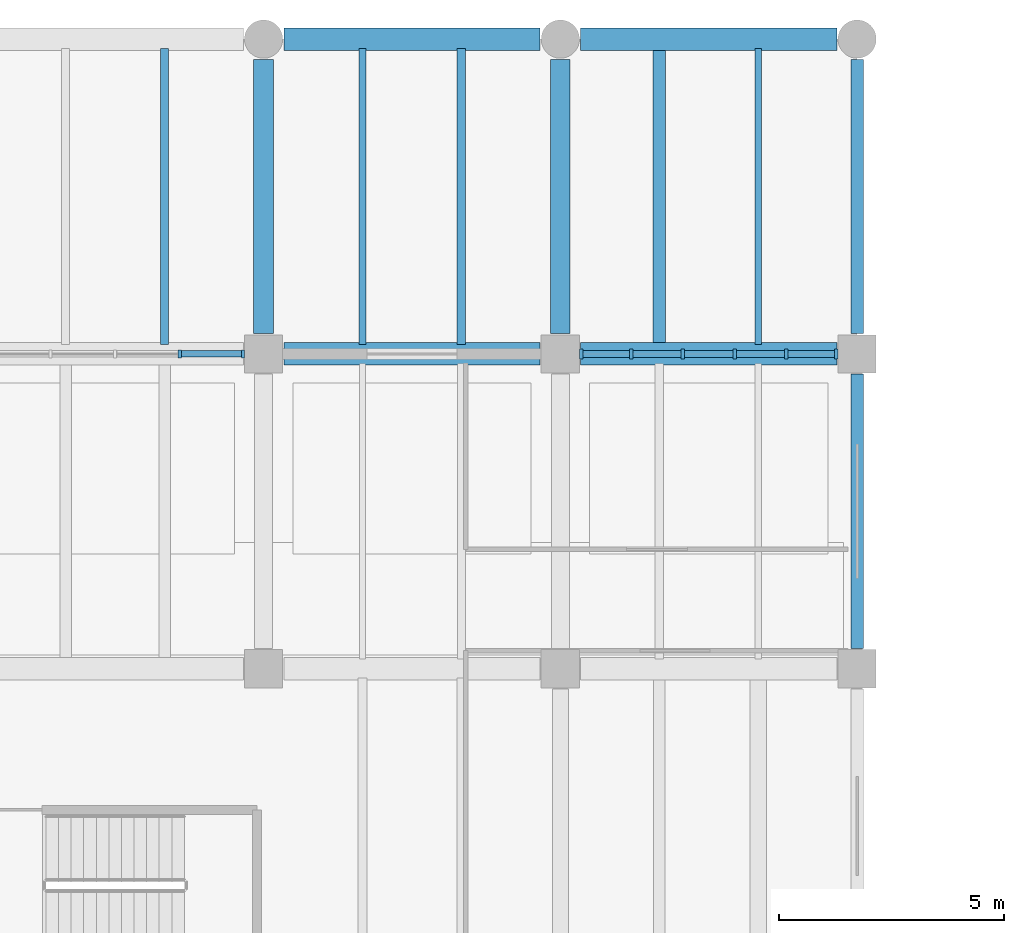
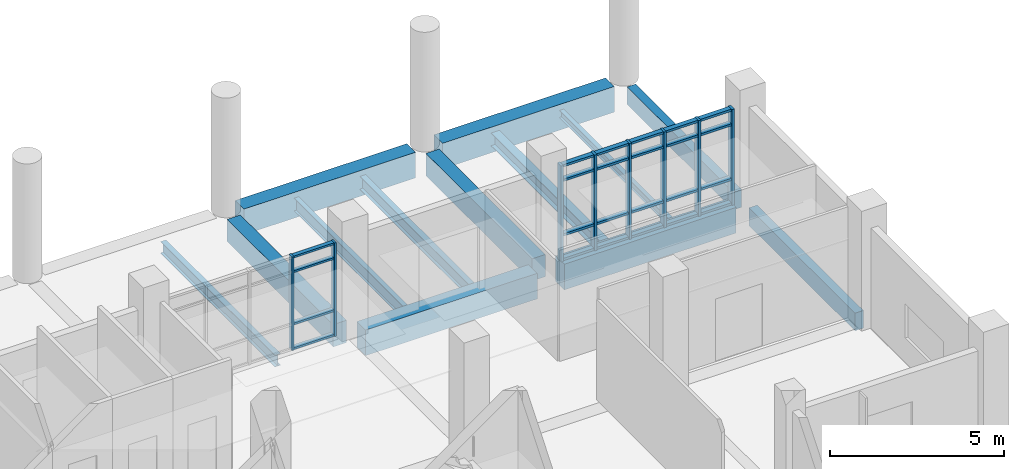
# One storey, part 31 of 69: 32 members, 13 beams, 2 elements without a shape of their own.
"""IFC4 building model written with IfcOpenShell, lengths in metres."""

from ifc_helpers import new_model, si_unit, direction, frame, origin, origin_2d, place, context, subcontext, project, spatial, rectangle, i_section, extrude, material, material_profile, profile_set, type_object, element, aggregate, save


model = new_model("IFC4")

# Units and contexts
model_context = context("Model", 3, precision=1e-05, world=origin(), true_north=direction((0.0, 1.0)))
body_context = subcontext(model_context, "Body", "Model", "MODEL_VIEW")
ifc_project = project(units=[si_unit("LENGTHUNIT", "METRE"), si_unit("AREAUNIT", "SQUARE_METRE"), si_unit("VOLUMEUNIT", "CUBIC_METRE"), si_unit("PLANEANGLEUNIT", "RADIAN"), si_unit("MASSUNIT", "GRAM", prefix="KILO")], contexts=[model_context])

# Site, building, storey
site_placement = place(None, origin())
site = spatial("IfcSite", under=ifc_project, at=site_placement, CompositionType="ELEMENT")
building_placement = place(site_placement, origin())
building = spatial("IfcBuilding", under=site, at=building_placement, Name="Ciguamira Faculty of Natural Sciences", CompositionType="ELEMENT")
storey_placement = place(building_placement, origin())
storey = spatial("IfcBuildingStorey", under=building, at=storey_placement, Name="L00", CompositionType="ELEMENT", Elevation=0.0)

# Curtain wall, members
ifc_material_1 = material(Name="Anodized aluminium curtain wall", Category="aluminium")
curtain_wall_type_1 = type_object("IfcCurtainWallType", Name="CurtainWall_CW-08", PredefinedType="USERDEFINED", material=ifc_material_1)
curtain_wall_1_placement = place(storey_placement, origin())
curtain_wall_1 = element("IfcCurtainWall", 1, at=curtain_wall_1_placement, inside=storey, type_object=curtain_wall_type_1, Name="L00 unitised curtain wall 0020", ObjectType="UNITISED CURTAIN WALL", PredefinedType="USERDEFINED")
ifc_material_2 = material(Name="Anodized aluminium mullion", Category="aluminium")
ifc_material_profile_1 = material_profile(ifc_material_2, rectangle(XDim=0.070068359375, YDim=0.179931640625, at=origin_2d()), Name="ALU-MUL-70X180")
ifc_profile_set_1 = profile_set([ifc_material_profile_1], Name="Anodized aluminium mullion")
member_type_1 = type_object("IfcMemberType", Name="CWMullion_CWM-02", PredefinedType="MULLION", material=ifc_profile_set_1)
member_1_placement = place(storey_placement, frame((101.637451171875, 108.0, 0.0), z_axis=(0.0, 0.0, 1.0), x_axis=(1.0, 0.0, 0.0)))
member_1 = element("IfcMember", 2, at=member_1_placement, type_object=member_type_1, Name="CW-08 mullion 4", PredefinedType="MULLION", context=body_context, shape_type="SweptSolid", body=[
    extrude(rectangle(XDim=0.070068359375, YDim=0.179931640625, at=origin_2d()), origin(), (0.0, 0.0, 1.0), 3.284912109375),
])
member_2_placement = place(storey_placement, frame((103.0400390625, 108.0, 0.0), z_axis=(0.0, 0.0, 1.0), x_axis=(1.0, 0.0, 0.0)))
member_2 = element("IfcMember", 3, at=member_2_placement, type_object=member_type_1, Name="CW-08 mullion 5", PredefinedType="MULLION", context=body_context, shape_type="SweptSolid", body=[
    extrude(rectangle(XDim=0.070068359375, YDim=0.179931640625, at=origin_2d()), origin(), (0.0, 0.0, 1.0), 3.284912109375),
])

curtain_wall_type_2 = type_object("IfcCurtainWallType", Name="CurtainWall_CW-09", PredefinedType="USERDEFINED", material=ifc_material_1)
curtain_wall_2_placement = place(storey_placement, origin())
curtain_wall_2 = element("IfcCurtainWall", 4, at=curtain_wall_2_placement, inside=storey, type_object=curtain_wall_type_2, Name="L00 unitised curtain wall 0021", ObjectType="UNITISED CURTAIN WALL", PredefinedType="USERDEFINED")
ifc_material_profile_2 = material_profile(ifc_material_2, rectangle(XDim=0.080078125, YDim=0.219970703125, at=origin_2d()), Name="ALU-MUL-80X220")
ifc_profile_set_2 = profile_set([ifc_material_profile_2], Name="Anodized aluminium mullion")
member_type_2 = type_object("IfcMemberType", Name="CWMullion_CWM-03", PredefinedType="MULLION", material=ifc_profile_set_2)
member_3_placement = place(storey_placement, frame((110.56494140625, 108.0, 0.0), z_axis=(0.0, 0.0, 1.0), x_axis=(1.0, 0.0, 0.0)))
member_3 = element("IfcMember", 5, at=member_3_placement, type_object=member_type_2, Name="CW-09 mullion 1", PredefinedType="MULLION", context=body_context, shape_type="SweptSolid", body=[
    extrude(rectangle(XDim=0.080078125, YDim=0.219970703125, at=origin_2d()), origin(), (0.0, 0.0, 1.0), 3.364990234375),
])
member_4_placement = place(storey_placement, frame((111.675048828125, 108.0, 0.0), z_axis=(0.0, 0.0, 1.0), x_axis=(1.0, 0.0, 0.0)))
member_4 = element("IfcMember", 6, at=member_4_placement, type_object=member_type_2, Name="CW-09 mullion 2", PredefinedType="MULLION", context=body_context, shape_type="SweptSolid", body=[
    extrude(rectangle(XDim=0.080078125, YDim=0.219970703125, at=origin_2d()), origin(), (0.0, 0.0, 1.0), 3.364990234375),
])
member_5_placement = place(storey_placement, frame((112.824951171875, 108.0, 0.0), z_axis=(0.0, 0.0, 1.0), x_axis=(1.0, 0.0, 0.0)))
member_5 = element("IfcMember", 7, at=member_5_placement, type_object=member_type_2, Name="CW-09 mullion 3", PredefinedType="MULLION", context=body_context, shape_type="SweptSolid", body=[
    extrude(rectangle(XDim=0.080078125, YDim=0.219970703125, at=origin_2d()), origin(), (0.0, 0.0, 1.0), 3.364990234375),
])
member_6_placement = place(storey_placement, frame((113.97509765625, 108.0, 0.0), z_axis=(0.0, 0.0, 1.0), x_axis=(1.0, 0.0, 0.0)))
member_6 = element("IfcMember", 8, at=member_6_placement, type_object=member_type_2, Name="CW-09 mullion 4", PredefinedType="MULLION", context=body_context, shape_type="SweptSolid", body=[
    extrude(rectangle(XDim=0.080078125, YDim=0.219970703125, at=origin_2d()), origin(), (0.0, 0.0, 1.0), 3.364990234375),
])
member_7_placement = place(storey_placement, frame((115.125, 108.0, 0.0), z_axis=(0.0, 0.0, 1.0), x_axis=(1.0, 0.0, 0.0)))
member_7 = element("IfcMember", 9, at=member_7_placement, type_object=member_type_2, Name="CW-09 mullion 5", PredefinedType="MULLION", context=body_context, shape_type="SweptSolid", body=[
    extrude(rectangle(XDim=0.080078125, YDim=0.219970703125, at=origin_2d()), origin(), (0.0, 0.0, 1.0), 3.364990234375),
])
member_8_placement = place(storey_placement, frame((116.235107421875, 108.0, 0.0), z_axis=(0.0, 0.0, 1.0), x_axis=(1.0, 0.0, 0.0)))
member_8 = element("IfcMember", 10, at=member_8_placement, type_object=member_type_2, Name="CW-09 mullion 6", PredefinedType="MULLION", context=body_context, shape_type="SweptSolid", body=[
    extrude(rectangle(XDim=0.080078125, YDim=0.219970703125, at=origin_2d()), origin(), (0.0, 0.0, 1.0), 3.364990234375),
])

# Member
ifc_material_3 = material(Name="Anodized aluminium transom", Category="aluminium")
ifc_material_profile_3 = material_profile(ifc_material_3, rectangle(XDim=0.070068359375, YDim=0.139892578125, at=origin_2d()), Name="ALU-TRN-70X140")
ifc_profile_set_3 = profile_set([ifc_material_profile_3], Name="Anodized aluminium transom")
member_type_3 = type_object("IfcMemberType", Name="CWTransom_CWT-02", PredefinedType="USERDEFINED", material=ifc_profile_set_3)
member_9_placement = place(storey_placement, frame((101.672607421875, 108.0, 0.034912109375), z_axis=(1.0, 0.0, 0.0), x_axis=(0.0, 0.0, 1.0)))
member_9 = element("IfcMember", 11, at=member_9_placement, type_object=member_type_3, Name="CW-08 transom 4.1", ObjectType="TRANSOM", PredefinedType="USERDEFINED", context=body_context, shape_type="SweptSolid", body=[
    extrude(rectangle(XDim=0.070068359375, YDim=0.139892578125, at=origin_2d()), origin(), (0.0, 0.0, 1.0), 1.332275390625),
])

member_10_placement = place(storey_placement, frame((101.672607421875, 108.0, 0.89990234375), z_axis=(1.0, 0.0, 0.0), x_axis=(0.0, 0.0, 1.0)))
member_10 = element("IfcMember", 12, at=member_10_placement, type_object=member_type_3, Name="CW-08 transom 4.2", ObjectType="TRANSOM", PredefinedType="USERDEFINED", context=body_context, shape_type="SweptSolid", body=[
    extrude(rectangle(XDim=0.070068359375, YDim=0.139892578125, at=origin_2d()), origin(), (0.0, 0.0, 1.0), 1.332275390625),
])

member_11_placement = place(storey_placement, frame((101.672607421875, 108.0, 2.735107421875), z_axis=(1.0, 0.0, 0.0), x_axis=(0.0, 0.0, 1.0)))
member_11 = element("IfcMember", 13, at=member_11_placement, type_object=member_type_3, Name="CW-08 transom 4.3", ObjectType="TRANSOM", PredefinedType="USERDEFINED", context=body_context, shape_type="SweptSolid", body=[
    extrude(rectangle(XDim=0.070068359375, YDim=0.139892578125, at=origin_2d()), origin(), (0.0, 0.0, 1.0), 1.332275390625),
])

member_12_placement = place(storey_placement, frame((101.672607421875, 108.0, 3.25), z_axis=(1.0, 0.0, 0.0), x_axis=(0.0, 0.0, 1.0)))
member_12 = element("IfcMember", 14, at=member_12_placement, type_object=member_type_3, Name="CW-08 transom 4.4", ObjectType="TRANSOM", PredefinedType="USERDEFINED", context=body_context, shape_type="SweptSolid", body=[
    extrude(rectangle(XDim=0.070068359375, YDim=0.139892578125, at=origin_2d()), origin(), (0.0, 0.0, 1.0), 1.332275390625),
])

aggregate(curtain_wall_1, [member_1, member_2, member_9, member_10, member_11, member_12])

ifc_material_profile_4 = material_profile(ifc_material_3, rectangle(XDim=0.080078125, YDim=0.159912109375, at=origin_2d()), Name="ALU-TRN-80X160")
ifc_profile_set_4 = profile_set([ifc_material_profile_4], Name="Anodized aluminium transom")
member_type_4 = type_object("IfcMemberType", Name="CWTransom_CWT-03", PredefinedType="USERDEFINED", material=ifc_profile_set_4)
member_13_placement = place(storey_placement, frame((110.60498046875, 108.0, 0.0400390625), z_axis=(1.0, 0.0, 0.0), x_axis=(0.0, 0.0, 1.0)))
member_13 = element("IfcMember", 15, at=member_13_placement, type_object=member_type_4, Name="CW-09 transom 1.1", ObjectType="TRANSOM", PredefinedType="USERDEFINED", context=body_context, shape_type="SweptSolid", body=[
    extrude(rectangle(XDim=0.080078125, YDim=0.159912109375, at=origin_2d()), origin(), (0.0, 0.0, 1.0), 1.030029296875),
])

member_14_placement = place(storey_placement, frame((110.60498046875, 108.0, 0.89990234375), z_axis=(1.0, 0.0, 0.0), x_axis=(0.0, 0.0, 1.0)))
member_14 = element("IfcMember", 16, at=member_14_placement, type_object=member_type_4, Name="CW-09 transom 1.2", ObjectType="TRANSOM", PredefinedType="USERDEFINED", context=body_context, shape_type="SweptSolid", body=[
    extrude(rectangle(XDim=0.080078125, YDim=0.159912109375, at=origin_2d()), origin(), (0.0, 0.0, 1.0), 1.030029296875),
])

member_15_placement = place(storey_placement, frame((110.60498046875, 108.0, 2.81494140625), z_axis=(1.0, 0.0, 0.0), x_axis=(0.0, 0.0, 1.0)))
member_15 = element("IfcMember", 17, at=member_15_placement, type_object=member_type_4, Name="CW-09 transom 1.3", ObjectType="TRANSOM", PredefinedType="USERDEFINED", context=body_context, shape_type="SweptSolid", body=[
    extrude(rectangle(XDim=0.080078125, YDim=0.159912109375, at=origin_2d()), origin(), (0.0, 0.0, 1.0), 1.030029296875),
])

member_16_placement = place(storey_placement, frame((110.60498046875, 108.0, 3.324951171875), z_axis=(1.0, 0.0, 0.0), x_axis=(0.0, 0.0, 1.0)))
member_16 = element("IfcMember", 18, at=member_16_placement, type_object=member_type_4, Name="CW-09 transom 1.4", ObjectType="TRANSOM", PredefinedType="USERDEFINED", context=body_context, shape_type="SweptSolid", body=[
    extrude(rectangle(XDim=0.080078125, YDim=0.159912109375, at=origin_2d()), origin(), (0.0, 0.0, 1.0), 1.030029296875),
])

member_17_placement = place(storey_placement, frame((111.715087890625, 108.0, 0.0400390625), z_axis=(1.0, 0.0, 0.0), x_axis=(0.0, 0.0, 1.0)))
member_17 = element("IfcMember", 19, at=member_17_placement, type_object=member_type_4, Name="CW-09 transom 2.1", ObjectType="TRANSOM", PredefinedType="USERDEFINED", context=body_context, shape_type="SweptSolid", body=[
    extrude(rectangle(XDim=0.080078125, YDim=0.159912109375, at=origin_2d()), origin(), (0.0, 0.0, 1.0), 1.06982421875),
])

member_18_placement = place(storey_placement, frame((111.715087890625, 108.0, 0.89990234375), z_axis=(1.0, 0.0, 0.0), x_axis=(0.0, 0.0, 1.0)))
member_18 = element("IfcMember", 20, at=member_18_placement, type_object=member_type_4, Name="CW-09 transom 2.2", ObjectType="TRANSOM", PredefinedType="USERDEFINED", context=body_context, shape_type="SweptSolid", body=[
    extrude(rectangle(XDim=0.080078125, YDim=0.159912109375, at=origin_2d()), origin(), (0.0, 0.0, 1.0), 1.06982421875),
])

member_19_placement = place(storey_placement, frame((111.715087890625, 108.0, 2.81494140625), z_axis=(1.0, 0.0, 0.0), x_axis=(0.0, 0.0, 1.0)))
member_19 = element("IfcMember", 21, at=member_19_placement, type_object=member_type_4, Name="CW-09 transom 2.3", ObjectType="TRANSOM", PredefinedType="USERDEFINED", context=body_context, shape_type="SweptSolid", body=[
    extrude(rectangle(XDim=0.080078125, YDim=0.159912109375, at=origin_2d()), origin(), (0.0, 0.0, 1.0), 1.06982421875),
])

member_20_placement = place(storey_placement, frame((111.715087890625, 108.0, 3.324951171875), z_axis=(1.0, 0.0, 0.0), x_axis=(0.0, 0.0, 1.0)))
member_20 = element("IfcMember", 22, at=member_20_placement, type_object=member_type_4, Name="CW-09 transom 2.4", ObjectType="TRANSOM", PredefinedType="USERDEFINED", context=body_context, shape_type="SweptSolid", body=[
    extrude(rectangle(XDim=0.080078125, YDim=0.159912109375, at=origin_2d()), origin(), (0.0, 0.0, 1.0), 1.06982421875),
])

member_21_placement = place(storey_placement, frame((112.864990234375, 108.0, 0.0400390625), z_axis=(1.0, 0.0, 0.0), x_axis=(0.0, 0.0, 1.0)))
member_21 = element("IfcMember", 23, at=member_21_placement, type_object=member_type_4, Name="CW-09 transom 3.1", ObjectType="TRANSOM", PredefinedType="USERDEFINED", context=body_context, shape_type="SweptSolid", body=[
    extrude(rectangle(XDim=0.080078125, YDim=0.159912109375, at=origin_2d()), origin(), (0.0, 0.0, 1.0), 1.070068359375),
])

member_22_placement = place(storey_placement, frame((112.864990234375, 108.0, 0.89990234375), z_axis=(1.0, 0.0, 0.0), x_axis=(0.0, 0.0, 1.0)))
member_22 = element("IfcMember", 24, at=member_22_placement, type_object=member_type_4, Name="CW-09 transom 3.2", ObjectType="TRANSOM", PredefinedType="USERDEFINED", context=body_context, shape_type="SweptSolid", body=[
    extrude(rectangle(XDim=0.080078125, YDim=0.159912109375, at=origin_2d()), origin(), (0.0, 0.0, 1.0), 1.070068359375),
])

member_23_placement = place(storey_placement, frame((112.864990234375, 108.0, 2.81494140625), z_axis=(1.0, 0.0, 0.0), x_axis=(0.0, 0.0, 1.0)))
member_23 = element("IfcMember", 25, at=member_23_placement, type_object=member_type_4, Name="CW-09 transom 3.3", ObjectType="TRANSOM", PredefinedType="USERDEFINED", context=body_context, shape_type="SweptSolid", body=[
    extrude(rectangle(XDim=0.080078125, YDim=0.159912109375, at=origin_2d()), origin(), (0.0, 0.0, 1.0), 1.070068359375),
])

member_24_placement = place(storey_placement, frame((112.864990234375, 108.0, 3.324951171875), z_axis=(1.0, 0.0, 0.0), x_axis=(0.0, 0.0, 1.0)))
member_24 = element("IfcMember", 26, at=member_24_placement, type_object=member_type_4, Name="CW-09 transom 3.4", ObjectType="TRANSOM", PredefinedType="USERDEFINED", context=body_context, shape_type="SweptSolid", body=[
    extrude(rectangle(XDim=0.080078125, YDim=0.159912109375, at=origin_2d()), origin(), (0.0, 0.0, 1.0), 1.070068359375),
])

member_25_placement = place(storey_placement, frame((114.014892578125, 108.0, 0.0400390625), z_axis=(1.0, 0.0, 0.0), x_axis=(0.0, 0.0, 1.0)))
member_25 = element("IfcMember", 27, at=member_25_placement, type_object=member_type_4, Name="CW-09 transom 4.1", ObjectType="TRANSOM", PredefinedType="USERDEFINED", context=body_context, shape_type="SweptSolid", body=[
    extrude(rectangle(XDim=0.080078125, YDim=0.159912109375, at=origin_2d()), origin(), (0.0, 0.0, 1.0), 1.070068359375),
])

member_26_placement = place(storey_placement, frame((114.014892578125, 108.0, 0.89990234375), z_axis=(1.0, 0.0, 0.0), x_axis=(0.0, 0.0, 1.0)))
member_26 = element("IfcMember", 28, at=member_26_placement, type_object=member_type_4, Name="CW-09 transom 4.2", ObjectType="TRANSOM", PredefinedType="USERDEFINED", context=body_context, shape_type="SweptSolid", body=[
    extrude(rectangle(XDim=0.080078125, YDim=0.159912109375, at=origin_2d()), origin(), (0.0, 0.0, 1.0), 1.070068359375),
])

member_27_placement = place(storey_placement, frame((114.014892578125, 108.0, 2.81494140625), z_axis=(1.0, 0.0, 0.0), x_axis=(0.0, 0.0, 1.0)))
member_27 = element("IfcMember", 29, at=member_27_placement, type_object=member_type_4, Name="CW-09 transom 4.3", ObjectType="TRANSOM", PredefinedType="USERDEFINED", context=body_context, shape_type="SweptSolid", body=[
    extrude(rectangle(XDim=0.080078125, YDim=0.159912109375, at=origin_2d()), origin(), (0.0, 0.0, 1.0), 1.070068359375),
])

member_28_placement = place(storey_placement, frame((114.014892578125, 108.0, 3.324951171875), z_axis=(1.0, 0.0, 0.0), x_axis=(0.0, 0.0, 1.0)))
member_28 = element("IfcMember", 30, at=member_28_placement, type_object=member_type_4, Name="CW-09 transom 4.4", ObjectType="TRANSOM", PredefinedType="USERDEFINED", context=body_context, shape_type="SweptSolid", body=[
    extrude(rectangle(XDim=0.080078125, YDim=0.159912109375, at=origin_2d()), origin(), (0.0, 0.0, 1.0), 1.070068359375),
])

member_29_placement = place(storey_placement, frame((115.1650390625, 108.0, 0.0400390625), z_axis=(1.0, 0.0, 0.0), x_axis=(0.0, 0.0, 1.0)))
member_29 = element("IfcMember", 31, at=member_29_placement, type_object=member_type_4, Name="CW-09 transom 5.1", ObjectType="TRANSOM", PredefinedType="USERDEFINED", context=body_context, shape_type="SweptSolid", body=[
    extrude(rectangle(XDim=0.080078125, YDim=0.159912109375, at=origin_2d()), origin(), (0.0, 0.0, 1.0), 1.030029296875),
])

member_30_placement = place(storey_placement, frame((115.1650390625, 108.0, 0.89990234375), z_axis=(1.0, 0.0, 0.0), x_axis=(0.0, 0.0, 1.0)))
member_30 = element("IfcMember", 32, at=member_30_placement, type_object=member_type_4, Name="CW-09 transom 5.2", ObjectType="TRANSOM", PredefinedType="USERDEFINED", context=body_context, shape_type="SweptSolid", body=[
    extrude(rectangle(XDim=0.080078125, YDim=0.159912109375, at=origin_2d()), origin(), (0.0, 0.0, 1.0), 1.030029296875),
])

member_31_placement = place(storey_placement, frame((115.1650390625, 108.0, 2.81494140625), z_axis=(1.0, 0.0, 0.0), x_axis=(0.0, 0.0, 1.0)))
member_31 = element("IfcMember", 33, at=member_31_placement, type_object=member_type_4, Name="CW-09 transom 5.3", ObjectType="TRANSOM", PredefinedType="USERDEFINED", context=body_context, shape_type="SweptSolid", body=[
    extrude(rectangle(XDim=0.080078125, YDim=0.159912109375, at=origin_2d()), origin(), (0.0, 0.0, 1.0), 1.030029296875),
])

member_32_placement = place(storey_placement, frame((115.1650390625, 108.0, 3.324951171875), z_axis=(1.0, 0.0, 0.0), x_axis=(0.0, 0.0, 1.0)))
member_32 = element("IfcMember", 34, at=member_32_placement, type_object=member_type_4, Name="CW-09 transom 5.4", ObjectType="TRANSOM", PredefinedType="USERDEFINED", context=body_context, shape_type="SweptSolid", body=[
    extrude(rectangle(XDim=0.080078125, YDim=0.159912109375, at=origin_2d()), origin(), (0.0, 0.0, 1.0), 1.030029296875),
])

aggregate(curtain_wall_2, [member_3, member_4, member_5, member_6, member_7, member_8, member_13, member_14, member_15, member_16, member_17, member_18, member_19, member_20, member_21, member_22, member_23, member_24, member_25, member_26, member_27, member_28, member_29, member_30, member_31, member_32])

# Beams
ifc_material_4 = material(Name="Concrete C40/50", Category="concrete")
ifc_material_profile_5 = material_profile(ifc_material_4, rectangle(XDim=0.5, YDim=0.89990234375, at=origin_2d()), Name="RC-BM-500X900")
ifc_profile_set_5 = profile_set([ifc_material_profile_5], Name="Concrete C40/50")
beam_type_1 = type_object("IfcBeamType", Name="RCBeam_BG-03_RC-BM-500X900", PredefinedType="BEAM", material=ifc_profile_set_5)
for number, where, z_axis, x_axis, name in (
    (35, (103.949951171875, 108.0, -0.449951171875), (1.0, 0.0, 0.0), (0.0, 1.0, 0.0), "L00 RC girder EW-0181"),
    (36, (110.550048828125, 108.0, -0.449951171875), (1.0, 0.0, 0.0), (0.0, 1.0, 0.0), "L00 RC girder EW-0182"),
    (37, (103.949951171875, 115.0, -0.449951171875), (1.0, 0.0, 0.0), (0.0, 1.0, 0.0), "L00 RC girder EW-0190"),
    (38, (110.550048828125, 115.0, -0.449951171875), (1.0, 0.0, 0.0), (0.0, 1.0, 0.0), "L00 RC girder EW-0191"),
):
    element("IfcBeam", number, at=place(storey_placement, frame(where, z_axis=z_axis, x_axis=x_axis)), inside=storey, type_object=beam_type_1, Name=name, PredefinedType="BEAM", context=body_context, shape_type="SweptSolid", body=[
        extrude(rectangle(XDim=0.5, YDim=0.89990234375, at=origin_2d()), origin(), (0.0, 0.0, 1.0), 5.699951171875),
    ])
ifc_material_profile_6 = material_profile(ifc_material_4, rectangle(XDim=0.43994140625, YDim=0.780029296875, at=origin_2d()), Name="RC-BM-440X780")
ifc_profile_set_6 = profile_set([ifc_material_profile_6], Name="Concrete C40/50")
beam_type_2 = type_object("IfcBeamType", Name="RCBeam_BG-06_RC-BM-440X780", PredefinedType="BEAM", material=ifc_profile_set_6)
for number, where, z_axis, x_axis, name in (
    (39, (103.5, 108.449951171875, -0.389892578125), (0.0, 1.0, 0.0), (-1.0, 0.0, 0.0), "L00 girder NS-0310"),
    (40, (110.10009765625, 108.449951171875, -0.389892578125), (0.0, 1.0, 0.0), (-1.0, 0.0, 0.0), "L00 girder NS-0324"),
):
    element("IfcBeam", number, at=place(storey_placement, frame(where, z_axis=z_axis, x_axis=x_axis)), inside=storey, type_object=beam_type_2, Name=name, PredefinedType="BEAM", context=body_context, shape_type="SweptSolid", body=[
        extrude(rectangle(XDim=0.43994140625, YDim=0.780029296875, at=origin_2d()), origin(), (0.0, 0.0, 1.0), 6.10009765625),
    ])
ifc_material_5 = material(Name="Precast concrete C40/50", Category="concrete")
ifc_material_profile_7 = material_profile(ifc_material_5, rectangle(XDim=0.280029296875, YDim=0.6201171875, at=origin_2d()), Name="RC-SP-280X620")
ifc_profile_set_7 = profile_set([ifc_material_profile_7], Name="Precast concrete C40/50")
beam_type_3 = type_object("IfcBeamType", Name="RCBeam_SP-01_RC-SP-280X620", PredefinedType="SPANDREL", material=ifc_profile_set_7)
for number, where, z_axis, x_axis, name in (
    (41, (116.699951171875, 101.449951171875, -0.31005859375), (0.0, 1.0, 0.0), (-1.0, 0.0, 0.0), "L00 girder NS-0336"),
    (42, (116.699951171875, 108.449951171875, -0.31005859375), (0.0, 1.0, 0.0), (-1.0, 0.0, 0.0), "L00 girder NS-0337"),
):
    element("IfcBeam", number, at=place(storey_placement, frame(where, z_axis=z_axis, x_axis=x_axis)), inside=storey, type_object=beam_type_3, Name=name, PredefinedType="SPANDREL", context=body_context, shape_type="SweptSolid", body=[
        extrude(rectangle(XDim=0.280029296875, YDim=0.6201171875, at=origin_2d()), origin(), (0.0, 0.0, 1.0), 6.10009765625),
    ])
ifc_material_6 = material(Name="Steel ASTM A992 Grade 50", Category="steel")
ifc_material_profile_8 = material_profile(ifc_material_6, i_section(OverallWidth=0.14599609375, OverallDepth=0.259033203125, WebThickness=0.006103515625, FlangeThickness=0.009033203125, at=origin_2d()), Name="W10X22")
ifc_profile_set_8 = profile_set([ifc_material_profile_8], Name="Steel ASTM A992 Grade 50")
beam_type_4 = type_object("IfcBeamType", Name="SteelJoist_SJ-01_W10X22", PredefinedType="JOIST", material=ifc_profile_set_8)
beam_1_placement = place(storey_placement, frame((114.5, 108.2099609375, -0.32958984375), z_axis=(0.0, 1.0, 0.0), x_axis=(-1.0, 0.0, 0.0)))
element("IfcBeam", 43, at=beam_1_placement, inside=storey, type_object=beam_type_4, Name="L00 composite steel joist 00304", PredefinedType="JOIST", context=body_context, shape_type="SweptSolid", body=[
    extrude(i_section(OverallWidth=0.14599609375, OverallDepth=0.259033203125, WebThickness=0.006103515625, FlangeThickness=0.009033203125, at=origin_2d()), origin(), (0.0, 0.0, 1.0), 6.580078125),
])
ifc_material_profile_9 = material_profile(ifc_material_6, i_section(OverallWidth=0.180908203125, OverallDepth=0.41650390625, WebThickness=0.010986328125, FlangeThickness=0.01806640625, at=origin_2d()), Name="W16X57")
ifc_profile_set_9 = profile_set([ifc_material_profile_9], Name="Steel ASTM A992 Grade 50")
beam_type_5 = type_object("IfcBeamType", Name="SteelJoist_SJ-20_W16X57", PredefinedType="JOIST", material=ifc_profile_set_9)
beam_2_placement = place(storey_placement, frame((101.300048828125, 108.2099609375, -0.408203125), z_axis=(0.0, 1.0, 0.0), x_axis=(-1.0, 0.0, 0.0)))
element("IfcBeam", 44, at=beam_2_placement, inside=storey, type_object=beam_type_5, Name="L00 composite steel joist 00247", PredefinedType="JOIST", context=body_context, shape_type="SweptSolid", body=[
    extrude(i_section(OverallWidth=0.180908203125, OverallDepth=0.41650390625, WebThickness=0.010986328125, FlangeThickness=0.01806640625, at=origin_2d()), origin(), (0.0, 0.0, 1.0), 6.580078125),
])
ifc_material_profile_10 = material_profile(ifc_material_6, i_section(OverallWidth=0.15283203125, OverallDepth=0.45458984375, WebThickness=0.008056640625, FlangeThickness=0.013427734375, at=origin_2d()), Name="W18X40")
ifc_profile_set_10 = profile_set([ifc_material_profile_10], Name="Steel ASTM A992 Grade 50")
beam_type_6 = type_object("IfcBeamType", Name="SteelJoist_SJ-22_W18X40", PredefinedType="JOIST", material=ifc_profile_set_10)
beam_3_placement = place(storey_placement, frame((105.699951171875, 108.2099609375, -0.42724609375), z_axis=(0.0, 1.0, 0.0), x_axis=(-1.0, 0.0, 0.0)))
element("IfcBeam", 45, at=beam_3_placement, inside=storey, type_object=beam_type_6, Name="L00 composite steel joist 00273", PredefinedType="JOIST", context=body_context, shape_type="SweptSolid", body=[
    extrude(i_section(OverallWidth=0.15283203125, OverallDepth=0.45458984375, WebThickness=0.008056640625, FlangeThickness=0.013427734375, at=origin_2d()), origin(), (0.0, 0.0, 1.0), 6.580078125),
])
ifc_material_profile_11 = material_profile(ifc_material_6, i_section(OverallWidth=0.1904296875, OverallDepth=0.457275390625, WebThickness=0.009033203125, FlangeThickness=0.014404296875, at=origin_2d()), Name="W18X50")
ifc_profile_set_11 = profile_set([ifc_material_profile_11], Name="Steel ASTM A992 Grade 50")
beam_type_7 = type_object("IfcBeamType", Name="SteelJoist_SJ-23_W18X50", PredefinedType="JOIST", material=ifc_profile_set_11)
beam_4_placement = place(storey_placement, frame((107.89990234375, 108.2099609375, -0.4287109375), z_axis=(0.0, 1.0, 0.0), x_axis=(-1.0, 0.0, 0.0)))
element("IfcBeam", 46, at=beam_4_placement, inside=storey, type_object=beam_type_7, Name="L00 composite steel joist 00274", PredefinedType="JOIST", context=body_context, shape_type="SweptSolid", body=[
    extrude(i_section(OverallWidth=0.1904296875, OverallDepth=0.457275390625, WebThickness=0.009033203125, FlangeThickness=0.014404296875, at=origin_2d()), origin(), (0.0, 0.0, 1.0), 6.580078125),
])
ifc_material_profile_12 = material_profile(ifc_material_6, i_section(OverallWidth=0.279296875, OverallDepth=0.462158203125, WebThickness=0.0107421875, FlangeThickness=0.017333984375, at=origin_2d()), Name="W18X76")
ifc_profile_set_12 = profile_set([ifc_material_profile_12], Name="Steel ASTM A992 Grade 50")
beam_type_8 = type_object("IfcBeamType", Name="SteelJoist_SJ-25_W18X76", PredefinedType="JOIST", material=ifc_profile_set_12)
beam_5_placement = place(storey_placement, frame((112.300048828125, 108.2099609375, -0.43115234375), z_axis=(0.0, 1.0, 0.0), x_axis=(-1.0, 0.0, 0.0)))
element("IfcBeam", 47, at=beam_5_placement, inside=storey, type_object=beam_type_8, Name="L00 composite steel joist 00303", PredefinedType="JOIST", context=body_context, shape_type="SweptSolid", body=[
    extrude(i_section(OverallWidth=0.279296875, OverallDepth=0.462158203125, WebThickness=0.0107421875, FlangeThickness=0.017333984375, at=origin_2d()), origin(), (0.0, 0.0, 1.0), 6.580078125),
])

save(model, "model.ifc")
